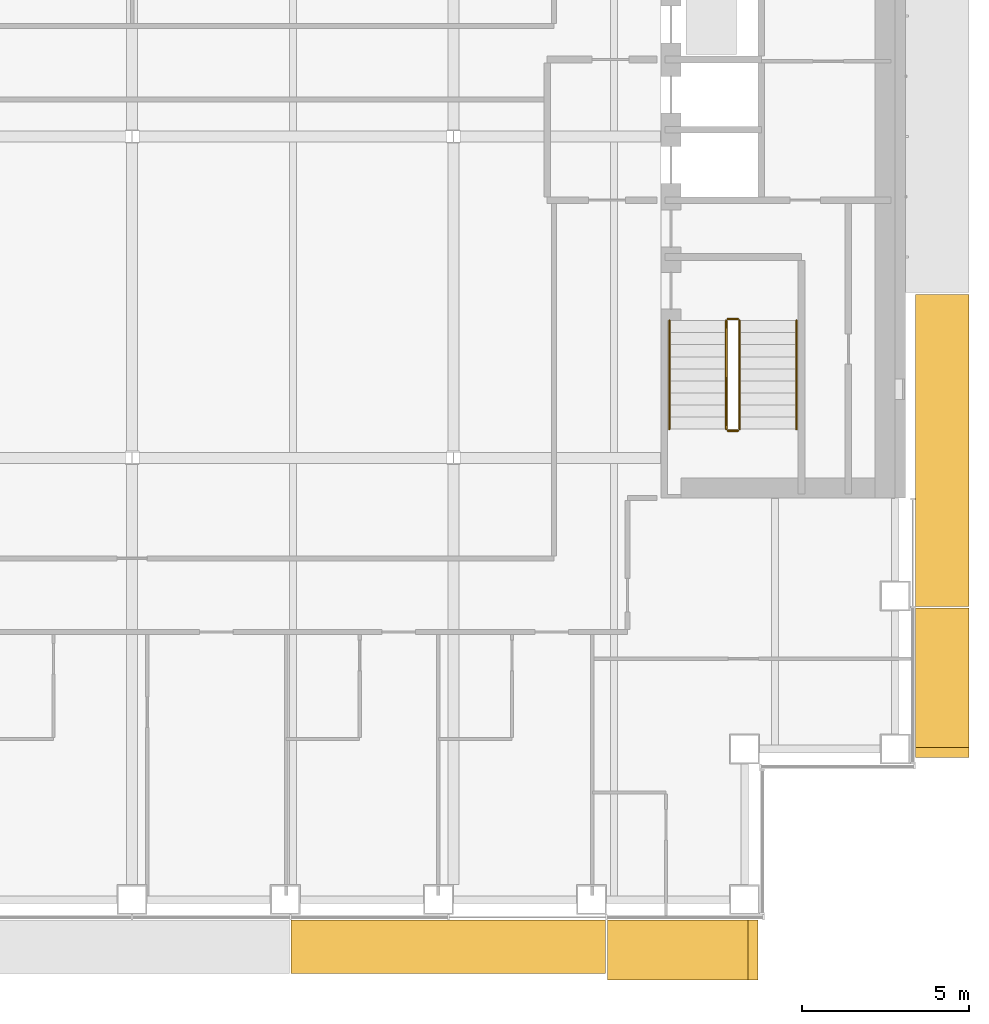
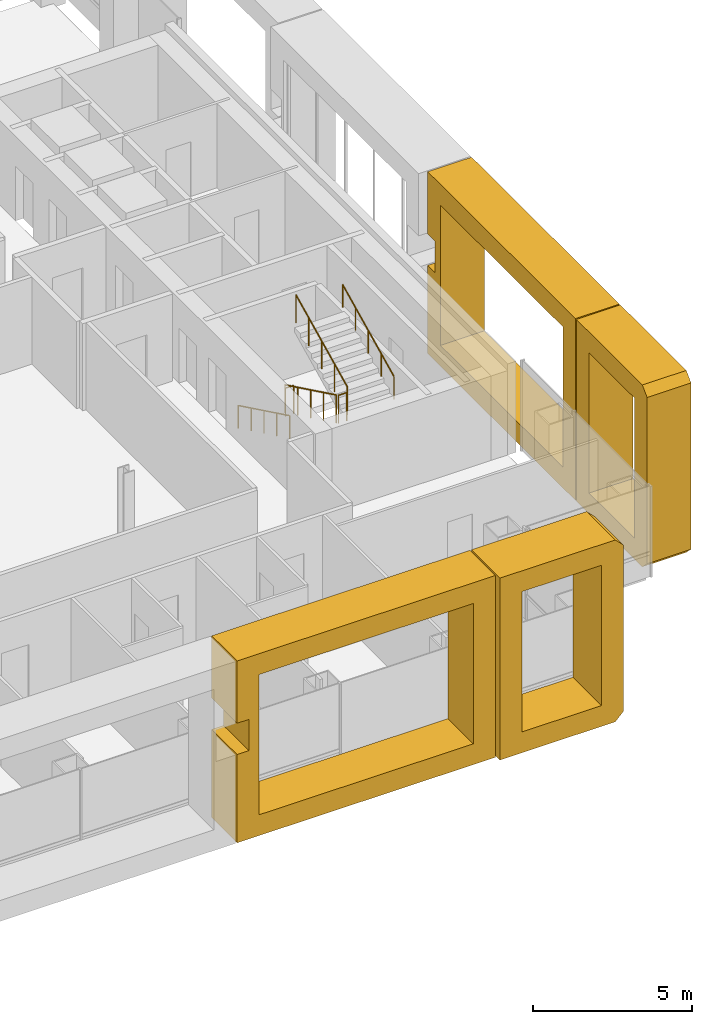
# One storey, part 16 of 19: 6 railings, 4 coverings.
"""IFC4 building model written with IfcOpenShell, lengths in metres."""

from ifc_helpers import new_model, si_unit, direction, frame, origin, origin_2d, place, context, subcontext, project, spatial, polyline, circle, outline, extrude, material, type_object, element, save


model = new_model("IFC4")

# Units and contexts
model_context = context("Model", 3, precision=1e-05, world=origin(), true_north=direction((0.0, 1.0)))
body_context = subcontext(model_context, "Body", "Model", "MODEL_VIEW")
ifc_project = project(units=[si_unit("LENGTHUNIT", "METRE"), si_unit("AREAUNIT", "SQUARE_METRE"), si_unit("VOLUMEUNIT", "CUBIC_METRE"), si_unit("PLANEANGLEUNIT", "RADIAN"), si_unit("MASSUNIT", "GRAM", prefix="KILO")], contexts=[model_context])

# Site, building, storey
site_placement = place(None, origin())
site = spatial("IfcSite", under=ifc_project, at=site_placement, CompositionType="ELEMENT")
building_placement = place(site_placement, origin())
building = spatial("IfcBuilding", under=site, at=building_placement, Name="Cobrizo Arcos Hotel Tower", CompositionType="ELEMENT")
storey_placement = place(building_placement, frame((0.0, 0.0, 103.0)))
storey = spatial("IfcBuildingStorey", under=building, at=storey_placement, Name="L25", CompositionType="ELEMENT", Elevation=103.0)

# Coverings
ifc_material_1 = material(Name="Aluminium 6063-T6 anodised bronze", Category="aluminium")
covering_type_1 = type_object("IfcCoveringType", Name="FIN-F 1600", PredefinedType="CLADDING", material=ifc_material_1)
covering_1_placement = place(storey_placement, frame((23.39990234375, -18.550048828125, 0.0), z_axis=(1.0, 0.0, 0.0), x_axis=(0.0, 1.0, 0.0)))
element("IfcCovering", 1, at=covering_1_placement, inside=storey, type_object=covering_type_1, Name="Fin frame 111", PredefinedType="CLADDING", context=body_context, shape_type="SweptSolid", body=[
    extrude(outline(polyline([(0.0, 0.300048828125), (0.300048828125, 0.0), (4.46240234375, 0.0), (4.46240234375, 7.0), (0.300048828125, 7.0), (0.0, 6.699951171875), (0.0, 0.300048828125)]), holes=[polyline([(3.66259765625, 0.800048828125), (0.800048828125, 0.800048828125), (0.800048828125, 6.199951171875), (3.66259765625, 6.199951171875), (3.66259765625, 0.800048828125)])]), origin(), (0.0, 0.0, 1.0), 1.60009765625),
])
covering_2_placement = place(storey_placement, frame((23.39990234375, -14.03759765625, 0.0), z_axis=(1.0, 0.0, 0.0), x_axis=(0.0, 1.0, 0.0)))
element("IfcCovering", 2, at=covering_2_placement, inside=storey, type_object=covering_type_1, Name="Fin frame 112", PredefinedType="CLADDING", context=body_context, shape_type="SweptSolid", body=[
    extrude(outline(polyline([(9.324951171875, 0.0), (9.324951171875, 3.39794921875), (8.860595703125, 3.39794921875), (8.860595703125, 4.60205078125), (9.324951171875, 4.60205078125), (9.324951171875, 7.0), (0.0, 7.0), (0.0, 0.0), (9.324951171875, 0.0)]), holes=[polyline([(8.52490234375, 0.800048828125), (0.800048828125, 0.800048828125), (0.800048828125, 6.199951171875), (8.52490234375, 6.199951171875), (8.52490234375, 0.800048828125)])]), origin(), (0.0, 0.0, 1.0), 1.60009765625),
])
covering_3_placement = place(storey_placement, frame((4.75, -23.39990234375, 0.0), z_axis=(0.0, -1.0, 0.0), x_axis=(1.0, 0.0, 0.0)))
element("IfcCovering", 3, at=covering_3_placement, inside=storey, type_object=covering_type_1, Name="Fin frame 136", PredefinedType="CLADDING", context=body_context, shape_type="SweptSolid", body=[
    extrude(outline(polyline([(0.0, 7.0), (0.0, 4.60205078125), (0.427001953125, 4.60205078125), (0.427001953125, 3.39794921875), (0.0, 3.39794921875), (0.0, 0.0), (9.39990234375, 0.0), (9.39990234375, 7.0), (0.0, 7.0)]), holes=[polyline([(8.60009765625, 0.800048828125), (0.800048828125, 0.800048828125), (0.800048828125, 6.199951171875), (8.60009765625, 6.199951171875), (8.60009765625, 0.800048828125)])]), origin(), (0.0, 0.0, 1.0), 1.60009765625),
])
covering_type_2 = type_object("IfcCoveringType", Name="FIN-F 1800", PredefinedType="CLADDING", material=ifc_material_1)
covering_4_placement = place(storey_placement, frame((14.199951171875, -23.39990234375, 0.0), z_axis=(0.0, -1.0, 0.0), x_axis=(1.0, 0.0, 0.0)))
element("IfcCovering", 4, at=covering_4_placement, inside=storey, type_object=covering_type_2, Name="Fin frame 137", PredefinedType="CLADDING", context=body_context, shape_type="SweptSolid", body=[
    extrude(outline(polyline([(0.0, 7.0), (0.0, 0.0), (4.199951171875, 0.0), (4.5, 0.300048828125), (4.5, 6.699951171875), (4.199951171875, 7.0), (0.0, 7.0)]), holes=[polyline([(3.699951171875, 0.800048828125), (0.800048828125, 0.800048828125), (0.800048828125, 6.199951171875), (3.699951171875, 6.199951171875), (3.699951171875, 0.800048828125)])]), origin(), (0.0, 0.0, 1.0), 1.800048828125),
])

# Railings
ifc_material_2 = material(Name="Stainless steel railing", Category="steel")
railing_type_1 = type_object("IfcRailingType", Name="Stair guard 1100", PredefinedType="GUARDRAIL", material=ifc_material_2)
railing_1_placement = place(storey_placement, frame((17.75, -5.5, 0.175048828125)))
element("IfcRailing", 5, at=railing_1_placement, inside=storey, type_object=railing_type_1, Name="L25 ST-E stair guard 1", PredefinedType="GUARDRAIL", context=body_context, shape_type="SweptSolid", body=[
    extrude(circle(Radius=0.02392578125, at=origin_2d()), frame((0.0, 0.0, 1.076171875), z_axis=(0.0, -0.899372665325, 0.437182809435), x_axis=(1.0, 0.0, 0.0)), (0.0, 0.0, 1.0), 3.6025390625),
    extrude(circle(Radius=0.02099609375, at=origin_2d()), origin(), (0.0, 0.0, 1.0), 1.052001953125),
    extrude(circle(Radius=0.02099609375, at=origin_2d()), frame((0.0, -0.81005859375, 0.393798828125)), (0.0, 0.0, 1.0), 1.052001953125),
    extrude(circle(Radius=0.02099609375, at=origin_2d()), frame((0.0, -1.6201171875, 0.78759765625)), (0.0, 0.0, 1.0), 1.052001953125),
    extrude(circle(Radius=0.02099609375, at=origin_2d()), frame((0.0, -2.429931640625, 1.18115234375)), (0.0, 0.0, 1.0), 1.052001953125),
    extrude(circle(Radius=0.02099609375, at=origin_2d()), frame((0.0, -3.239990234375, 1.574951171875)), (0.0, 0.0, 1.0), 1.052001953125),
])
railing_2_placement = place(storey_placement, frame((17.800048828125, -8.7900390625, 1.75)))
element("IfcRailing", 6, at=railing_2_placement, inside=storey, type_object=railing_type_1, Name="L25 ST-E stair guard 2", PredefinedType="GUARDRAIL", context=body_context, shape_type="SweptSolid", body=[
    extrude(circle(Radius=0.02392578125, at=origin_2d()), frame((0.0, 0.0, 1.076171875), z_axis=(1.0, 0.0, 0.0), x_axis=(0.0, 1.0, 0.0)), (0.0, 0.0, 1.0), 0.300048828125),
    extrude(circle(Radius=0.02099609375, at=origin_2d()), origin(), (0.0, 0.0, 1.0), 1.052001953125),
    extrude(circle(Radius=0.02099609375, at=origin_2d()), frame((0.300048828125, 0.0, 0.0)), (0.0, 0.0, 1.0), 1.052001953125),
])
railing_3_placement = place(storey_placement, frame((18.14990234375, -8.739990234375, 1.925048828125)))
element("IfcRailing", 7, at=railing_3_placement, inside=storey, type_object=railing_type_1, Name="L25 ST-E stair guard 3", PredefinedType="GUARDRAIL", context=body_context, shape_type="SweptSolid", body=[
    extrude(circle(Radius=0.02392578125, at=origin_2d()), frame((0.0, 0.0, 1.076171875), z_axis=(0.0, 0.899372665325, 0.437182809435), x_axis=(-1.0, 0.0, 0.0)), (0.0, 0.0, 1.0), 3.6025390625),
    extrude(circle(Radius=0.02099609375, at=origin_2d()), origin(), (0.0, 0.0, 1.0), 1.052001953125),
    extrude(circle(Radius=0.02099609375, at=origin_2d()), frame((0.0, 0.81005859375, 0.393798828125)), (0.0, 0.0, 1.0), 1.052001953125),
    extrude(circle(Radius=0.02099609375, at=origin_2d()), frame((0.0, 1.6201171875, 0.78759765625)), (0.0, 0.0, 1.0), 1.052001953125),
    extrude(circle(Radius=0.02099609375, at=origin_2d()), frame((0.0, 2.429931640625, 1.18115234375)), (0.0, 0.0, 1.0), 1.052001953125),
    extrude(circle(Radius=0.02099609375, at=origin_2d()), frame((0.0, 3.239990234375, 1.574951171875)), (0.0, 0.0, 1.0), 1.052001953125),
])
railing_4_placement = place(storey_placement, frame((17.800048828125, -5.449951171875, 0.0)))
element("IfcRailing", 8, at=railing_4_placement, inside=storey, type_object=railing_type_1, Name="L25 ST-E stair guard 4", PredefinedType="GUARDRAIL", context=body_context, shape_type="SweptSolid", body=[
    extrude(circle(Radius=0.02392578125, at=origin_2d()), frame((0.0, 0.0, 1.076171875), z_axis=(1.0, 0.0, 0.0), x_axis=(0.0, 1.0, 0.0)), (0.0, 0.0, 1.0), 0.300048828125),
    extrude(circle(Radius=0.02099609375, at=origin_2d()), origin(), (0.0, 0.0, 1.0), 1.052001953125),
    extrude(circle(Radius=0.02099609375, at=origin_2d()), frame((0.300048828125, 0.0, 0.0)), (0.0, 0.0, 1.0), 1.052001953125),
])
railing_type_2 = type_object("IfcRailingType", Name="Stair handrail", PredefinedType="HANDRAIL", material=ifc_material_2)
railing_5_placement = place(storey_placement, frame((16.050048828125, -5.5, 0.175048828125)))
element("IfcRailing", 9, at=railing_5_placement, inside=storey, type_object=railing_type_2, Name="L25 ST-E stair handrail 1", PredefinedType="HANDRAIL", context=body_context, shape_type="SweptSolid", body=[
    extrude(circle(Radius=0.02392578125, at=origin_2d()), frame((0.0, 0.0, 0.8759765625), z_axis=(0.0, -0.899372665325, 0.437182809435), x_axis=(1.0, 0.0, 0.0)), (0.0, 0.0, 1.0), 3.6025390625),
    extrude(circle(Radius=0.02099609375, at=origin_2d()), origin(), (0.0, 0.0, 1.0), 0.851806640625),
    extrude(circle(Radius=0.02099609375, at=origin_2d()), frame((0.0, -0.81005859375, 0.393798828125)), (0.0, 0.0, 1.0), 0.851806640625),
    extrude(circle(Radius=0.02099609375, at=origin_2d()), frame((0.0, -1.6201171875, 0.78759765625)), (0.0, 0.0, 1.0), 0.851806640625),
    extrude(circle(Radius=0.02099609375, at=origin_2d()), frame((0.0, -2.429931640625, 1.18115234375)), (0.0, 0.0, 1.0), 0.851806640625),
    extrude(circle(Radius=0.02099609375, at=origin_2d()), frame((0.0, -3.239990234375, 1.574951171875)), (0.0, 0.0, 1.0), 0.851806640625),
])
railing_6_placement = place(storey_placement, frame((19.85009765625, -8.739990234375, 1.925048828125)))
element("IfcRailing", 10, at=railing_6_placement, inside=storey, type_object=railing_type_2, Name="L25 ST-E stair handrail 2", PredefinedType="HANDRAIL", context=body_context, shape_type="SweptSolid", body=[
    extrude(circle(Radius=0.02392578125, at=origin_2d()), frame((0.0, 0.0, 0.8759765625), z_axis=(0.0, 0.899372665325, 0.437182809435), x_axis=(-1.0, 0.0, 0.0)), (0.0, 0.0, 1.0), 3.6025390625),
    extrude(circle(Radius=0.02099609375, at=origin_2d()), origin(), (0.0, 0.0, 1.0), 0.851806640625),
    extrude(circle(Radius=0.02099609375, at=origin_2d()), frame((0.0, 0.81005859375, 0.393798828125)), (0.0, 0.0, 1.0), 0.851806640625),
    extrude(circle(Radius=0.02099609375, at=origin_2d()), frame((0.0, 1.6201171875, 0.78759765625)), (0.0, 0.0, 1.0), 0.851806640625),
    extrude(circle(Radius=0.02099609375, at=origin_2d()), frame((0.0, 2.429931640625, 1.18115234375)), (0.0, 0.0, 1.0), 0.851806640625),
    extrude(circle(Radius=0.02099609375, at=origin_2d()), frame((0.0, 3.239990234375, 1.574951171875)), (0.0, 0.0, 1.0), 0.851806640625),
])

save(model, "model.ifc")
